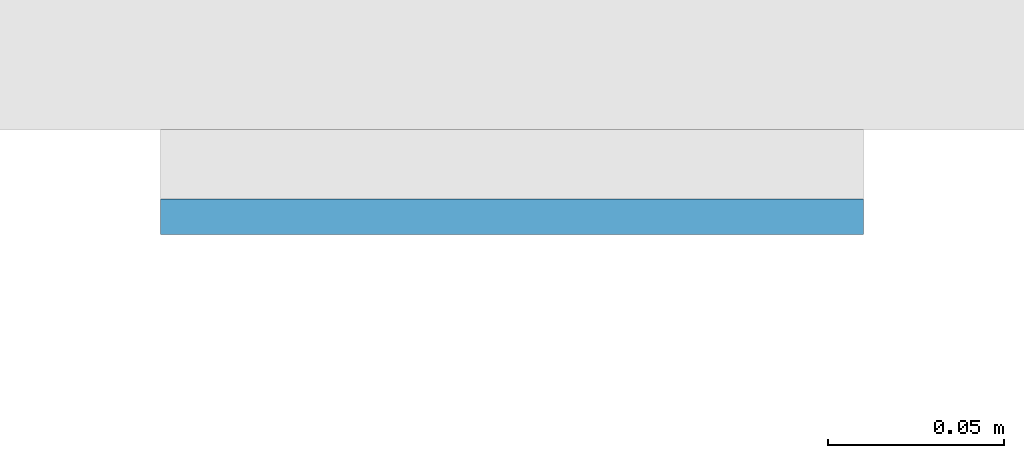
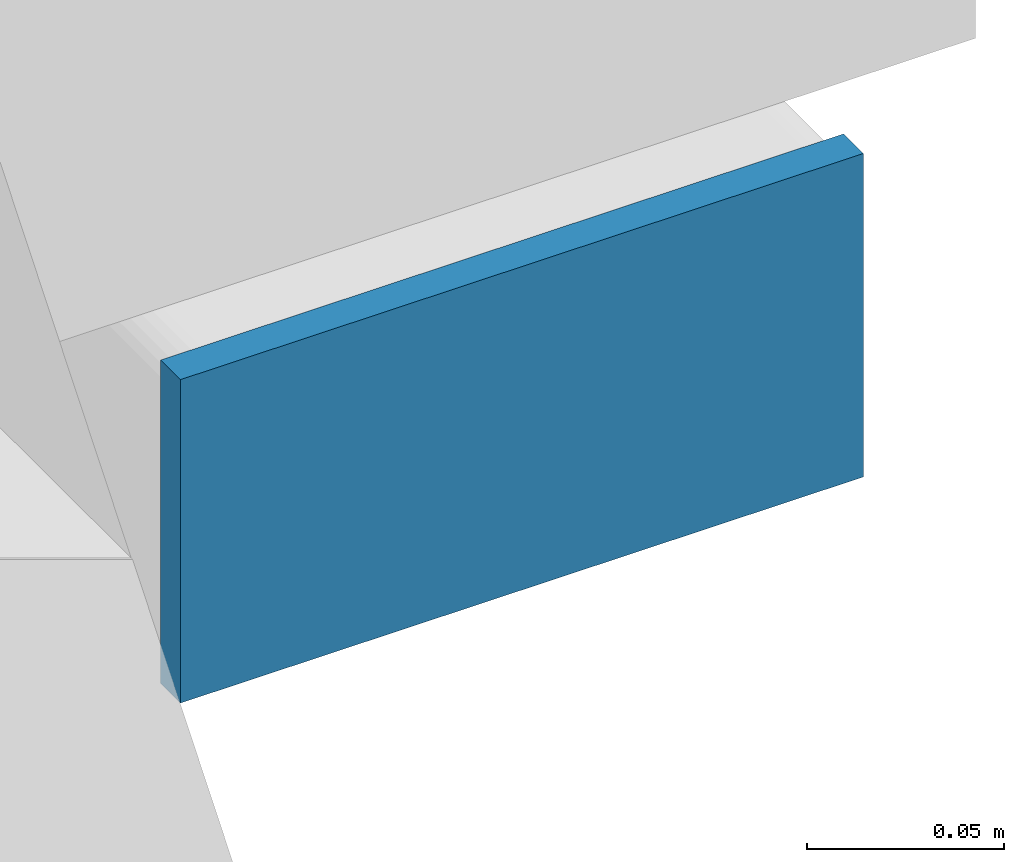
# One storey, part 10 of 20: 1 plate.
"""IFC4 building model written with IfcOpenShell, lengths in metres."""

from ifc_helpers import new_model, si_unit, direction, frame, origin, origin_2d, place, context, subcontext, project, spatial, rectangle, extrude, material, layer, layer_set, type_object, element, save


model = new_model("IFC4")

# Units and contexts
model_context = context("Model", 3, precision=1e-05, world=origin(), true_north=direction((0.0, 1.0)))
body_context = subcontext(model_context, "Body", "Model", "MODEL_VIEW")
ifc_project = project(units=[si_unit("LENGTHUNIT", "METRE"), si_unit("AREAUNIT", "SQUARE_METRE"), si_unit("VOLUMEUNIT", "CUBIC_METRE"), si_unit("PLANEANGLEUNIT", "RADIAN"), si_unit("MASSUNIT", "GRAM", prefix="KILO")], contexts=[model_context])

# Site, building, storey
site_placement = place(None, origin())
site = spatial("IfcSite", under=ifc_project, at=site_placement, CompositionType="ELEMENT")
building_placement = place(site_placement, origin())
building = spatial("IfcBuilding", under=site, at=building_placement, Name="Cleftline Residences", CompositionType="ELEMENT")
storey_placement = place(building_placement, frame((0.0, 0.0, 146.60009765625)))
storey = spatial("IfcBuildingStorey", under=building, at=storey_placement, Name="L38", CompositionType="ELEMENT", Elevation=146.60009765625)

# Plate
ifc_material = material(Name="Steel S355, hot-dip galvanised", Category="steel")
ifc_layer = layer(ifc_material, 0.010009765625)
ifc_layer_set = layer_set([ifc_layer], Name="BAGUETTE CARRIER END PLATE 200X100X10")
plate_type = type_object("IfcPlateType", Name="BAGUETTE CARRIER END PLATE 200X100X10", PredefinedType="USERDEFINED", material=ifc_layer_set)
plate_placement = place(storey_placement, frame((66.85009765625, 3.695068359375, -0.10009765625), z_axis=(0.0, 0.0, 1.0), x_axis=(1.0, 0.0, 0.0)))
element("IfcPlate", 1, at=plate_placement, inside=storey, type_object=plate_type, Name="Baguette carrier end plate", ObjectType="BAGUETTE CARRIER END PLATE", PredefinedType="USERDEFINED", context=body_context, shape_type="SweptSolid", body=[
    extrude(rectangle(XDim=0.199951171875, YDim=0.010009765625, at=origin_2d()), origin(), (0.0, 0.0, 1.0), 0.10009765625),
])

save(model, "model.ifc")
